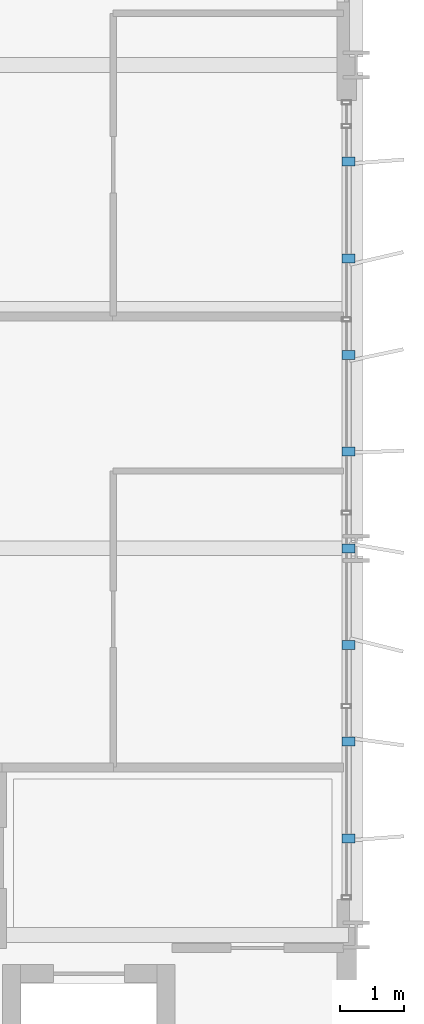
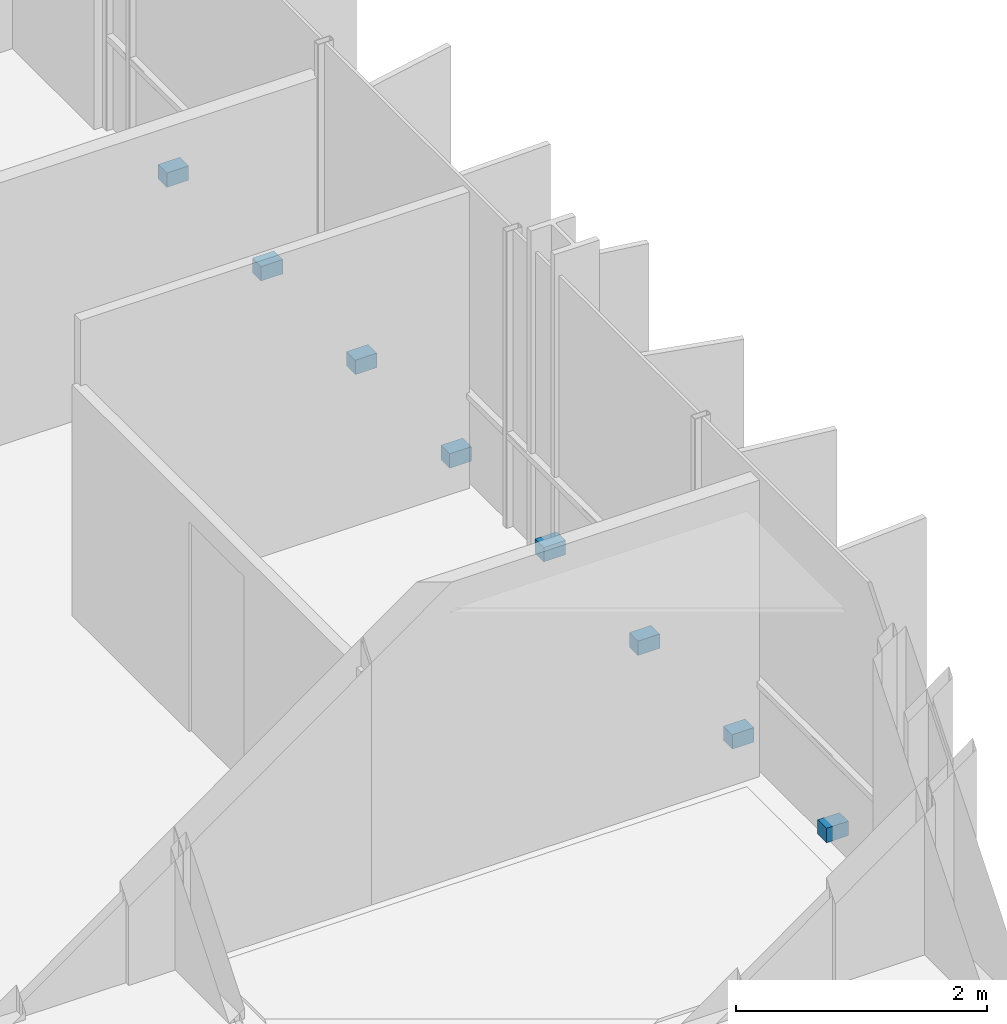
# One storey, part 35 of 39: 8 discrete accessories.
"""IFC4 building model written with IfcOpenShell, lengths in metres."""

from ifc_helpers import new_model, si_unit, direction, frame, origin, origin_2d, place, context, subcontext, project, spatial, rectangle, extrude, material, type_object, element, save


model = new_model("IFC4")

# Units and contexts
model_context = context("Model", 3, precision=1e-05, world=origin(), true_north=direction((0.0, 1.0)))
body_context = subcontext(model_context, "Body", "Model", "MODEL_VIEW")
ifc_project = project(units=[si_unit("LENGTHUNIT", "METRE"), si_unit("AREAUNIT", "SQUARE_METRE"), si_unit("VOLUMEUNIT", "CUBIC_METRE"), si_unit("PLANEANGLEUNIT", "RADIAN"), si_unit("MASSUNIT", "GRAM", prefix="KILO")], contexts=[model_context])

# Site, building, storey
site_placement = place(None, origin())
site = spatial("IfcSite", under=ifc_project, at=site_placement, CompositionType="ELEMENT")
building_placement = place(site_placement, origin())
building = spatial("IfcBuilding", under=site, at=building_placement, Name="Brevholm Reach", CompositionType="ELEMENT")
storey_placement = place(building_placement, frame((0.0, 0.0, 115.89990234375)))
storey = spatial("IfcBuildingStorey", under=building, at=storey_placement, Name="L34", CompositionType="ELEMENT", Elevation=115.89990234375)

# Discrete accessories
ifc_material = material(Name="Duplex Stainless Steel EN 1.4462", Category="steel")
discrete_accessory_type = type_object("IfcDiscreteAccessoryType", Name="ACC-BRK-01", PredefinedType="BRACKET", material=ifc_material)
for number, where, z_axis, x_axis, name in (
    (1, (59.8798828125, 11.5, 0.0302734375), (0.0, 0.0, 1.0), (1.0, 0.0, 0.0), "L34 Solar Screen Support Bracket 1"),
    (2, (59.8798828125, 13.0, 0.0302734375), (0.0, 0.0, 1.0), (1.0, 0.0, 0.0), "L34 Solar Screen Support Bracket 2"),
    (3, (59.8798828125, 14.5, 0.0302734375), (0.0, 0.0, 1.0), (1.0, 0.0, 0.0), "L34 Solar Screen Support Bracket 3"),
    (4, (59.8798828125, 16.0, 0.0302734375), (0.0, 0.0, 1.0), (1.0, 0.0, 0.0), "L34 Solar Screen Support Bracket 4"),
    (5, (59.8798828125, 17.5, 0.0302734375), (0.0, 0.0, 1.0), (1.0, 0.0, 0.0), "L34 Solar Screen Support Bracket 5"),
    (6, (59.8798828125, 19.0, 0.0302734375), (0.0, 0.0, 1.0), (1.0, 0.0, 0.0), "L34 Solar Screen Support Bracket 6"),
    (7, (59.8798828125, 20.5, 0.0302734375), (0.0, 0.0, 1.0), (1.0, 0.0, 0.0), "L34 Solar Screen Support Bracket 7"),
    (8, (59.8798828125, 22.0, 0.0302734375), (0.0, 0.0, 1.0), (1.0, 0.0, 0.0), "L34 Solar Screen Support Bracket 8"),
):
    element("IfcDiscreteAccessory", number, at=place(storey_placement, frame(where, z_axis=z_axis, x_axis=x_axis)), inside=storey, type_object=discrete_accessory_type, Name=name, PredefinedType="BRACKET", context=body_context, shape_type="SweptSolid", body=[
        extrude(rectangle(XDim=0.199951171875, YDim=0.139892578125, at=origin_2d()), origin(), (0.0, 0.0, 1.0), 0.139892578125),
    ])

save(model, "model.ifc")
